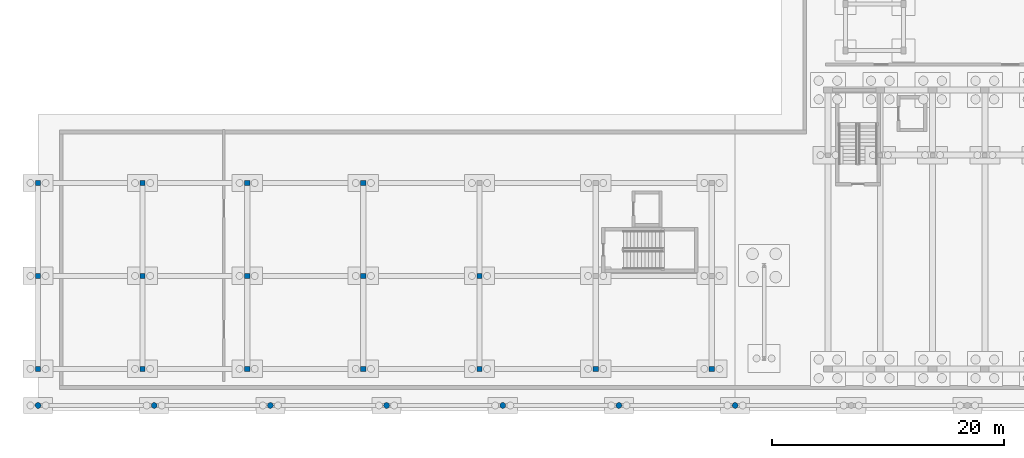
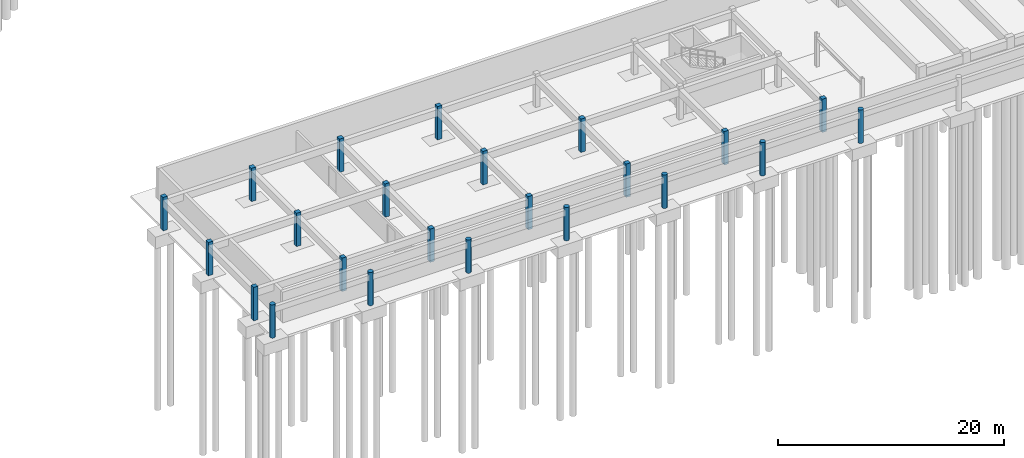
# One storey, part 5 of 32: 23 columns.
"""IFC4 building model written with IfcOpenShell, lengths in metres."""

from ifc_helpers import new_model, si_unit, direction, frame, origin, origin_2d, place, context, subcontext, project, spatial, rectangle, circle, extrude, material, material_profile, profile_set, type_object, element, save


model = new_model("IFC4")

# Units and contexts
model_context = context("Model", 3, precision=1e-05, world=origin(), true_north=direction((0.0, 1.0)))
body_context = subcontext(model_context, "Body", "Model", "MODEL_VIEW")
ifc_project = project(units=[si_unit("LENGTHUNIT", "METRE"), si_unit("AREAUNIT", "SQUARE_METRE"), si_unit("VOLUMEUNIT", "CUBIC_METRE"), si_unit("PLANEANGLEUNIT", "RADIAN"), si_unit("MASSUNIT", "GRAM", prefix="KILO")], contexts=[model_context])

# Site, building, storey
site_placement = place(None, origin())
site = spatial("IfcSite", under=ifc_project, at=site_placement, CompositionType="ELEMENT")
building_placement = place(site_placement, origin())
building = spatial("IfcBuilding", under=site, at=building_placement, Name="Zimvara Arc Housing Community", CompositionType="ELEMENT")
storey_placement = place(building_placement, frame((0.0, 0.0, -3.60009765625)))
storey = spatial("IfcBuildingStorey", under=building, at=storey_placement, Name="B1", CompositionType="ELEMENT", Elevation=-3.60009765625)

# Columns
ifc_material_1 = material(Name="Concrete C40/50", Category="concrete")
ifc_material_profile_1 = material_profile(ifc_material_1, rectangle(XDim=0.449951171875, YDim=0.449951171875, at=origin_2d()), Name="RC 450x450")
ifc_profile_set_1 = profile_set([ifc_material_profile_1], Name="Concrete C40/50")
column_type_1 = type_object("IfcColumnType", Name="COL-RC-450x450", PredefinedType="COLUMN", material=ifc_profile_set_1)
for number, where, z_axis, x_axis, name in (
    (1, (0.0, 3.60009765625, 0.0), (0.0, 0.0, 1.0), (1.0, 0.0, 0.0), "col:shops:B1:x0:y0"),
    (2, (0.0, 11.60009765625, 0.0), (0.0, 0.0, 1.0), (1.0, 0.0, 0.0), "col:shops:B1:x0:y1"),
    (3, (0.0, 19.60009765625, 0.0), (0.0, 0.0, 1.0), (1.0, 0.0, 0.0), "col:shops:B1:x0:y2"),
    (4, (9.0, 3.60009765625, 0.0), (0.0, 0.0, 1.0), (1.0, 0.0, 0.0), "col:shops:B1:x1:y0"),
    (5, (9.0, 11.60009765625, 0.0), (0.0, 0.0, 1.0), (1.0, 0.0, 0.0), "col:shops:B1:x1:y1"),
    (6, (9.0, 19.60009765625, 0.0), (0.0, 0.0, 1.0), (1.0, 0.0, 0.0), "col:shops:B1:x1:y2"),
    (7, (18.0, 3.60009765625, 0.0), (0.0, 0.0, 1.0), (1.0, 0.0, 0.0), "col:shops:B1:x2:y0"),
    (8, (18.0, 11.60009765625, 0.0), (0.0, 0.0, 1.0), (1.0, 0.0, 0.0), "col:shops:B1:x2:y1"),
    (9, (18.0, 19.60009765625, 0.0), (0.0, 0.0, 1.0), (1.0, 0.0, 0.0), "col:shops:B1:x2:y2"),
    (10, (28.0, 3.60009765625, 0.0), (0.0, 0.0, 1.0), (1.0, 0.0, 0.0), "col:shops:B1:x3:y0"),
    (11, (28.0, 11.60009765625, 0.0), (0.0, 0.0, 1.0), (1.0, 0.0, 0.0), "col:shops:B1:x3:y1"),
    (12, (28.0, 19.60009765625, 0.0), (0.0, 0.0, 1.0), (1.0, 0.0, 0.0), "col:shops:B1:x3:y2"),
    (13, (38.0, 3.60009765625, 0.0), (0.0, 0.0, 1.0), (1.0, 0.0, 0.0), "col:shops:B1:x4:y0"),
    (14, (38.0, 11.60009765625, 0.0), (0.0, 0.0, 1.0), (1.0, 0.0, 0.0), "col:shops:B1:x4:y1"),
    (15, (48.0, 3.60009765625, 0.0), (0.0, 0.0, 1.0), (1.0, 0.0, 0.0), "col:shops:B1:x5:y0"),
    (16, (58.0, 3.60009765625, 0.0), (0.0, 0.0, 1.0), (1.0, 0.0, 0.0), "col:shops:B1:x6:y0"),
):
    element("IfcColumn", number, at=place(storey_placement, frame(where, z_axis=z_axis, x_axis=x_axis)), inside=storey, type_object=column_type_1, Name=name, PredefinedType="COLUMN", context=body_context, shape_type="SweptSolid", body=[
        extrude(rectangle(XDim=0.449951171875, YDim=0.449951171875, at=origin_2d()), origin(), (0.0, 0.0, 1.0), 3.60009765625),
    ])
ifc_material_2 = material(Name="Concrete C40/50", Category="concrete")
ifc_material_profile_2 = material_profile(ifc_material_2, circle(Radius=0.25, at=origin_2d()), Name="RC D500")
ifc_profile_set_2 = profile_set([ifc_material_profile_2], Name="Concrete C40/50")
column_type_2 = type_object("IfcColumnType", Name="COL-RC-D500", PredefinedType="COLUMN", material=ifc_profile_set_2)
for number, where, z_axis, x_axis, name in (
    (17, (0.0, 0.449951171875, 0.0), (0.0, 0.0, 1.0), (1.0, 0.0, 0.0), "col:colonnade:B1:0"),
    (18, (10.0, 0.449951171875, 0.0), (0.0, 0.0, 1.0), (1.0, 0.0, 0.0), "col:colonnade:B1:1"),
    (19, (20.0, 0.449951171875, 0.0), (0.0, 0.0, 1.0), (1.0, 0.0, 0.0), "col:colonnade:B1:2"),
    (20, (30.0, 0.449951171875, 0.0), (0.0, 0.0, 1.0), (1.0, 0.0, 0.0), "col:colonnade:B1:3"),
    (21, (40.0, 0.449951171875, 0.0), (0.0, 0.0, 1.0), (1.0, 0.0, 0.0), "col:colonnade:B1:4"),
    (22, (50.0, 0.449951171875, 0.0), (0.0, 0.0, 1.0), (1.0, 0.0, 0.0), "col:colonnade:B1:5"),
    (23, (60.0, 0.449951171875, 0.0), (0.0, 0.0, 1.0), (1.0, 0.0, 0.0), "col:colonnade:B1:6"),
):
    element("IfcColumn", number, at=place(storey_placement, frame(where, z_axis=z_axis, x_axis=x_axis)), inside=storey, type_object=column_type_2, Name=name, PredefinedType="COLUMN", context=body_context, shape_type="SweptSolid", body=[
        extrude(circle(Radius=0.25, at=origin_2d()), origin(), (0.0, 0.0, 1.0), 3.60009765625),
    ])

save(model, "model.ifc")
